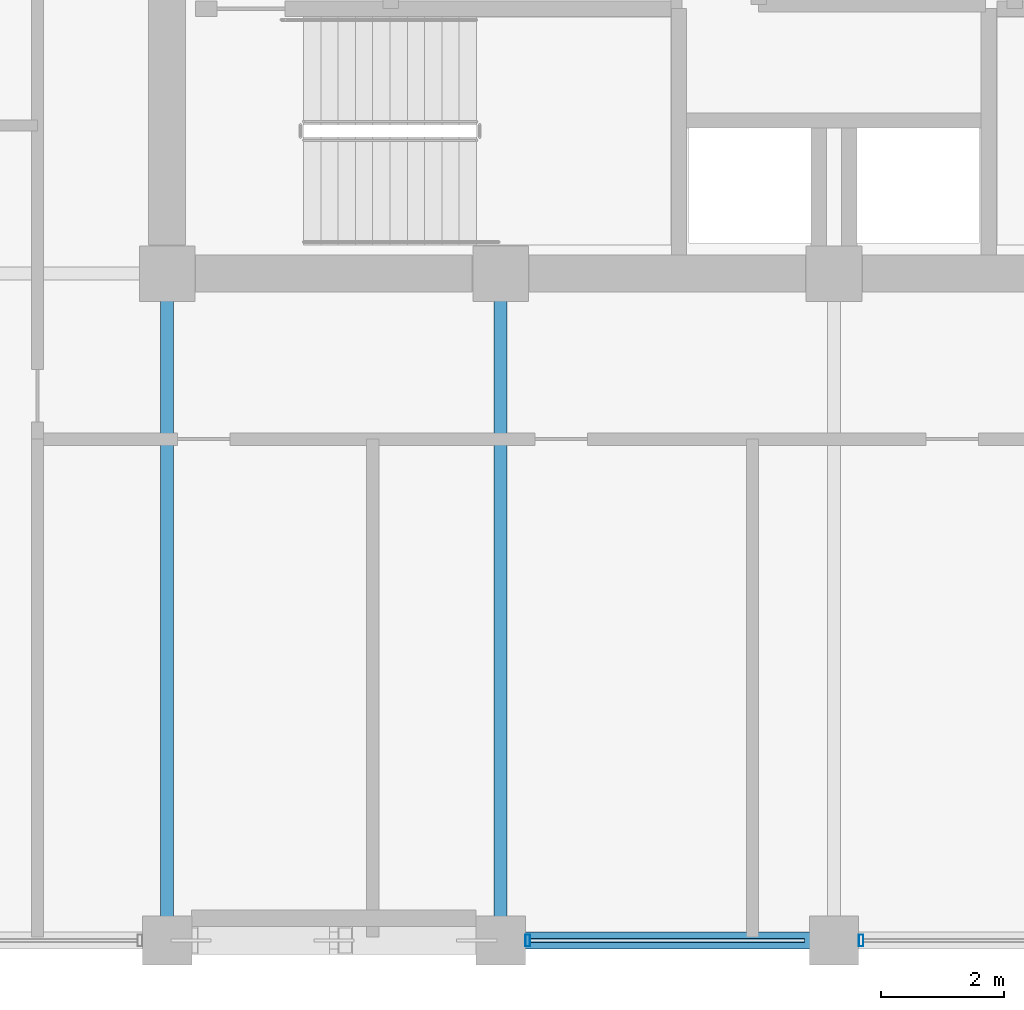
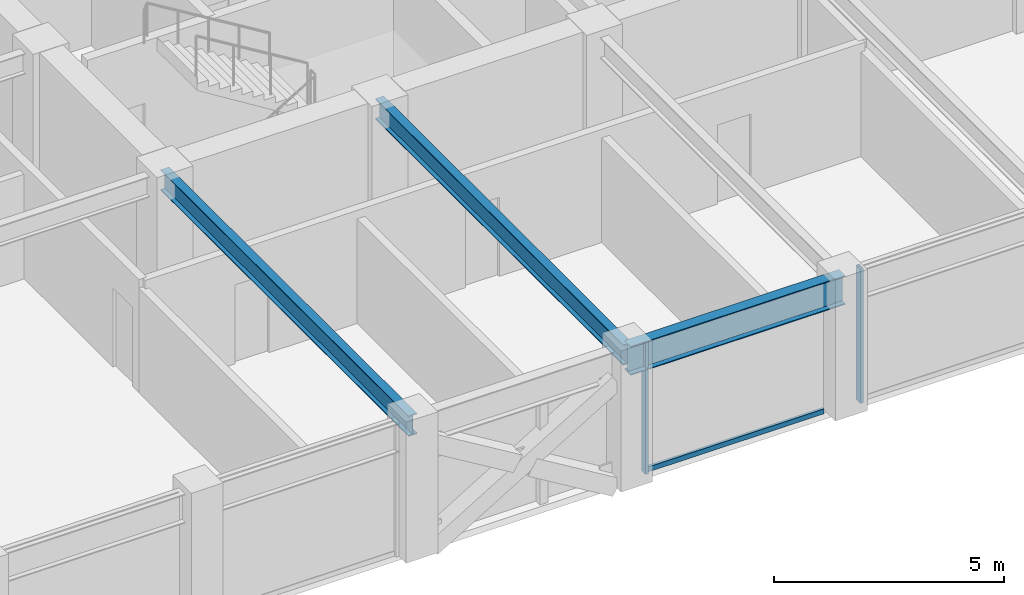
# One storey, part 6 of 32: 3 beams, 3 members, 1 element without a shape of its own.
"""IFC4 building model written with IfcOpenShell, lengths in metres."""

from ifc_helpers import new_model, si_unit, direction, frame, origin, origin_2d, place, context, subcontext, project, spatial, hollow_rectangle, i_section, extrude, material, layer, layer_set, material_profile, profile_set, type_object, element, aggregate, save


model = new_model("IFC4")

# Units and contexts
model_context = context("Model", 3, precision=1e-05, world=origin(), true_north=direction((0.0, 1.0)))
body_context = subcontext(model_context, "Body", "Model", "MODEL_VIEW")
ifc_project = project(units=[si_unit("LENGTHUNIT", "METRE"), si_unit("AREAUNIT", "SQUARE_METRE"), si_unit("VOLUMEUNIT", "CUBIC_METRE"), si_unit("PLANEANGLEUNIT", "RADIAN"), si_unit("MASSUNIT", "GRAM", prefix="KILO")], contexts=[model_context])

# Site, building, storey
site_placement = place(None, origin())
site = spatial("IfcSite", under=ifc_project, at=site_placement, CompositionType="ELEMENT")
building_placement = place(site_placement, origin())
building = spatial("IfcBuilding", under=site, at=building_placement, Name="Surkhivell Harbour Commons", CompositionType="ELEMENT")
storey_placement = place(building_placement, frame((0.0, 0.0, 219.75)))
storey = spatial("IfcBuildingStorey", under=building, at=storey_placement, Name="L57", CompositionType="ELEMENT", Elevation=219.75)

# Beams
ifc_material_1 = material(Name="Steel S355", Category="steel")
ifc_material_profile_1 = material_profile(ifc_material_1, i_section(OverallWidth=0.2119140625, OverallDepth=0.5439453125, WebThickness=0.0126953125, FlangeThickness=0.021240234375, at=origin_2d()), Name="UB533x210x122")
ifc_profile_set_1 = profile_set([ifc_material_profile_1], Name="Steel S355")
beam_type_1 = type_object("IfcBeamType", Name="BM-GRD-533A", PredefinedType="BEAM", material=ifc_profile_set_1)
for number, where, z_axis, x_axis, name in (
    (1, (-10.800048828125, -21.60009765625, 3.298095703125), (0.0, 1.0, 0.0), (-1.0, 0.0, 0.0), "L57 Floor Girder (-10.8,-21.6)"),
    (2, (-5.39990234375, -21.60009765625, 3.298095703125), (0.0, 1.0, 0.0), (-1.0, 0.0, 0.0), "L57 Floor Girder (-5.4,-21.6)"),
):
    element("IfcBeam", number, at=place(storey_placement, frame(where, z_axis=z_axis, x_axis=x_axis)), inside=storey, type_object=beam_type_1, Name=name, PredefinedType="BEAM", context=body_context, shape_type="SweptSolid", body=[
        extrude(i_section(OverallWidth=0.2119140625, OverallDepth=0.5439453125, WebThickness=0.0126953125, FlangeThickness=0.021240234375, at=origin_2d()), origin(), (0.0, 0.0, 1.0), 10.800048828125),
    ])
ifc_material_profile_2 = material_profile(ifc_material_1, i_section(OverallWidth=0.26806640625, OverallDepth=0.77001953125, WebThickness=0.015625, FlangeThickness=0.025390625, at=origin_2d()), Name="UB762x267x197")
ifc_profile_set_2 = profile_set([ifc_material_profile_2], Name="Steel S355")
beam_type_2 = type_object("IfcBeamType", Name="BM-SPN-762", PredefinedType="SPANDREL", material=ifc_profile_set_2)
beam_placement = place(storey_placement, frame((-5.39990234375, -21.60009765625, 3.18505859375), z_axis=(1.0, 0.0, 0.0), x_axis=(0.0, 1.0, 0.0)))
element("IfcBeam", 3, at=beam_placement, inside=storey, type_object=beam_type_2, Name="L57 Tube Spandrel (-5.4,-21.6)", PredefinedType="SPANDREL", context=body_context, shape_type="SweptSolid", body=[
    extrude(i_section(OverallWidth=0.26806640625, OverallDepth=0.77001953125, WebThickness=0.015625, FlangeThickness=0.025390625, at=origin_2d()), origin(), (0.0, 0.0, 1.0), 5.39990234375),
])

# Curtain wall, members
ifc_material_2 = material(Name="Anodised pale-metal aluminium and insulated glazing", Category="aluminium")
ifc_layer = layer(ifc_material_2, 0.18994140625)
ifc_layer_set = layer_set([ifc_layer], Name="Anodised pale-metal aluminium and insulated glazing")
curtain_wall_type = type_object("IfcCurtainWallType", Name="CW-SYS-Z3", PredefinedType="NOTDEFINED", material=ifc_layer_set)
curtain_wall_placement = place(storey_placement, origin())
curtain_wall = element("IfcCurtainWall", 4, at=curtain_wall_placement, inside=storey, type_object=curtain_wall_type, Name="L57 Curtain Wall CW-L57-E00S2", PredefinedType="NOTDEFINED")
ifc_material_3 = material(Name="Anodised pale-metal aluminium alloy 6063-T6", Category="aluminium")
ifc_material_profile_3 = material_profile(ifc_material_3, hollow_rectangle(XDim=0.074951171875, YDim=0.18994140625, WallThickness=0.00390625, at=origin_2d()), Name="ALU-MULL-75x190")
ifc_profile_set_3 = profile_set([ifc_material_profile_3], Name="Anodised pale-metal aluminium alloy 6063-T6")
member_type_1 = type_object("IfcMemberType", Name="CWM-190", PredefinedType="MULLION", material=ifc_profile_set_3)
member_1_placement = place(storey_placement, frame((-4.96044921875, -21.60009765625, 0.0), z_axis=(0.0, 0.0, 1.0), x_axis=(1.0, 0.0, 0.0)))
member_1 = element("IfcMember", 5, at=member_1_placement, type_object=member_type_1, Name="CW-Z3 mullion 1", PredefinedType="MULLION", context=body_context, shape_type="SweptSolid", body=[
    extrude(hollow_rectangle(XDim=0.074951171875, YDim=0.18994140625, WallThickness=0.00390625, at=origin_2d()), origin(), (0.0, 0.0, 1.0), 3.570068359375),
])
member_2_placement = place(storey_placement, frame((0.439453125, -21.60009765625, 0.0), z_axis=(0.0, 0.0, 1.0), x_axis=(1.0, 0.0, 0.0)))
member_2 = element("IfcMember", 6, at=member_2_placement, type_object=member_type_1, Name="CW-Z3 mullion 2", PredefinedType="MULLION", context=body_context, shape_type="SweptSolid", body=[
    extrude(hollow_rectangle(XDim=0.074951171875, YDim=0.18994140625, WallThickness=0.00390625, at=origin_2d()), origin(), (0.0, 0.0, 1.0), 3.570068359375),
])
ifc_material_4 = material(Name="Champagne anodised aluminium alloy 6063-T6", Category="aluminium")
ifc_material_profile_4 = material_profile(ifc_material_4, hollow_rectangle(XDim=0.070068359375, YDim=0.1298828125, WallThickness=0.00341796875, at=origin_2d()), Name="ALU-TRAN-70x130")
ifc_profile_set_4 = profile_set([ifc_material_profile_4], Name="Champagne anodised aluminium alloy 6063-T6")
member_type_2 = type_object("IfcMemberType", Name="CWT-130", PredefinedType="USERDEFINED", material=ifc_profile_set_4)
member_3_placement = place(storey_placement, frame((-4.923095703125, -21.60009765625, 0.06494140625), z_axis=(1.0, 0.0, 0.0), x_axis=(0.0, 1.0, 0.0)))
member_3 = element("IfcMember", 7, at=member_3_placement, type_object=member_type_2, Name="CW-Z3 transom 1.1", ObjectType="TRANSOM", PredefinedType="USERDEFINED", context=body_context, shape_type="SweptSolid", body=[
    extrude(hollow_rectangle(XDim=0.070068359375, YDim=0.1298828125, WallThickness=0.00341796875, at=origin_2d()), origin(), (0.0, 0.0, 1.0), 4.446044921875),
])
aggregate(curtain_wall, [member_1, member_3, member_2])

save(model, "model.ifc")
